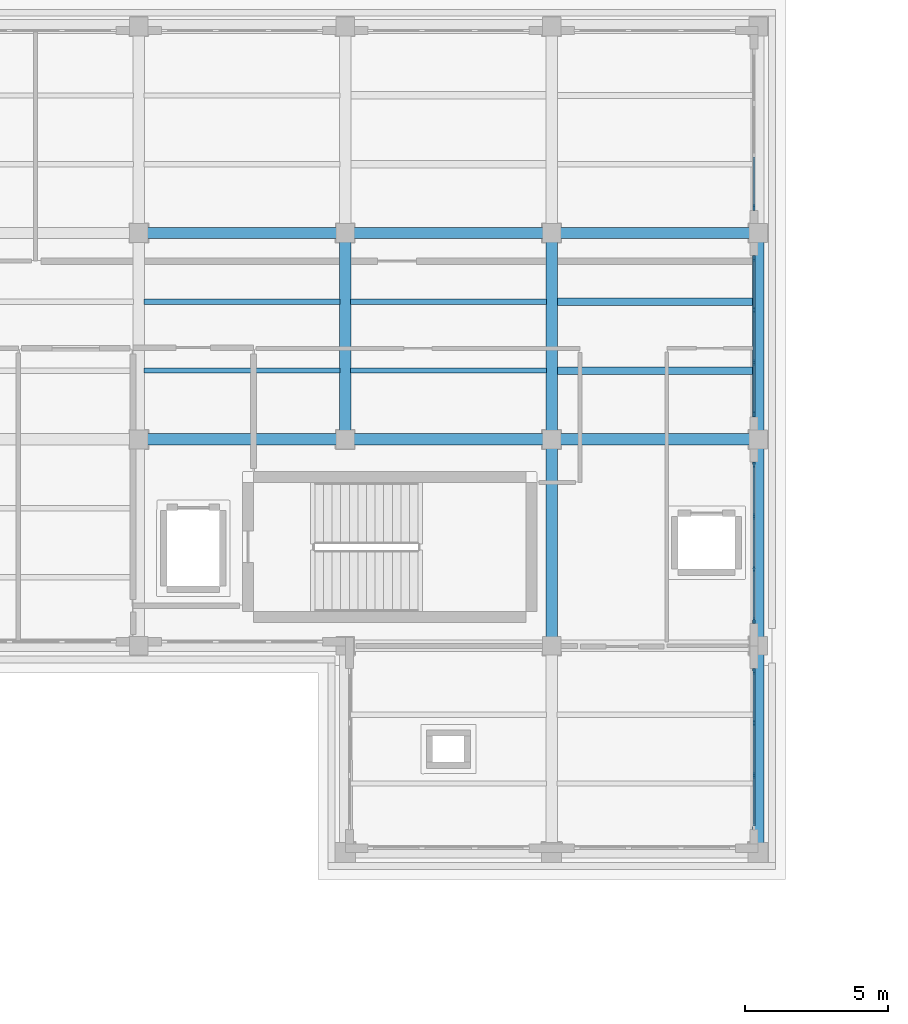
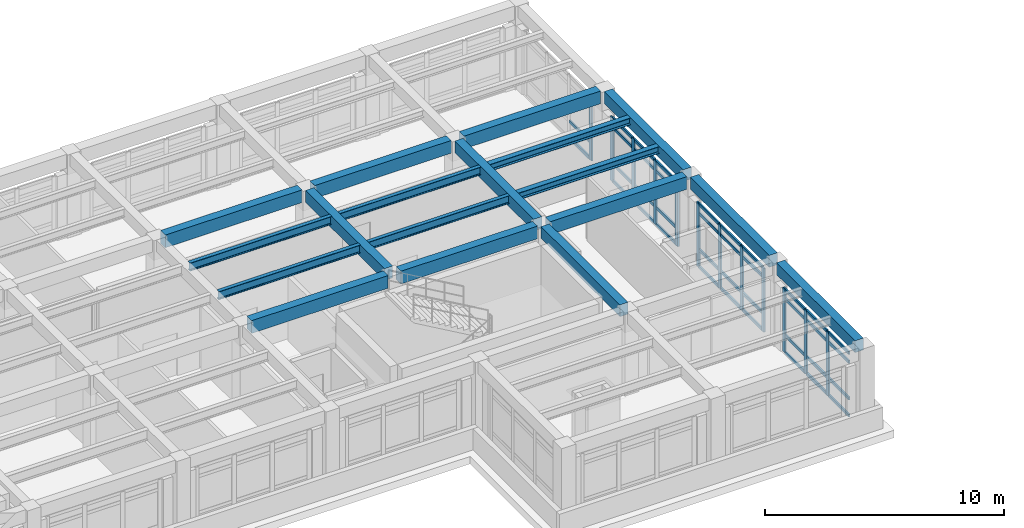
# One storey, part 28 of 55: 50 members, 18 beams, 4 elements without a shape of their own.
"""IFC4 building model written with IfcOpenShell, lengths in metres."""

from ifc_helpers import new_model, si_unit, direction, frame, origin, origin_2d, place, context, subcontext, project, spatial, rectangle, i_section, extrude, material, layer, layer_set, material_profile, profile_set, type_object, element, aggregate, save


model = new_model("IFC4")

# Units and contexts
model_context = context("Model", 3, precision=1e-05, world=origin(), true_north=direction((0.0, 1.0)))
body_context = subcontext(model_context, "Body", "Model", "MODEL_VIEW")
ifc_project = project(units=[si_unit("LENGTHUNIT", "METRE"), si_unit("AREAUNIT", "SQUARE_METRE"), si_unit("VOLUMEUNIT", "CUBIC_METRE"), si_unit("PLANEANGLEUNIT", "RADIAN"), si_unit("MASSUNIT", "GRAM", prefix="KILO")], contexts=[model_context])

# Site, building, storey
site_placement = place(None, origin())
site = spatial("IfcSite", under=ifc_project, at=site_placement, CompositionType="ELEMENT")
building_placement = place(site_placement, origin())
building = spatial("IfcBuilding", under=site, at=building_placement, Name="Solenvale Faculty of Natural Sciences", CompositionType="ELEMENT")
storey_placement = place(building_placement, frame((0.0, 0.0, 22.5)))
storey = spatial("IfcBuildingStorey", under=building, at=storey_placement, Name="L05", CompositionType="ELEMENT", Elevation=22.5)

# Beams
ifc_material_1 = material(Name="Concrete 40 MPa", Category="concrete")
ifc_material_profile_1 = material_profile(ifc_material_1, rectangle(XDim=0.39990234375, YDim=0.60009765625, at=origin_2d()), Name="RC-BM-400x600")
ifc_profile_set_1 = profile_set([ifc_material_profile_1], Name="Concrete 40 MPa")
beam_type_1 = type_object("IfcBeamType", Name="BM-RC-400x600", PredefinedType="BEAM", material=ifc_profile_set_1)
for number, where, z_axis, x_axis, name in (
    (1, (136.800048828125, 101.10498046875, 3.919921875), (0.0, 1.0, 0.0), (-1.0, 0.0, 0.0), "L05 Y-Girder X136.8 (100.8..108.0)"),
    (2, (144.0, 93.905029296875, 3.919921875), (0.0, 1.0, 0.0), (-1.0, 0.0, 0.0), "L05 Y-Girder X144.0 (93.6..100.8)"),
    (3, (144.0, 101.10498046875, 3.919921875), (0.0, 1.0, 0.0), (-1.0, 0.0, 0.0), "L05 Y-Girder X144.0 (100.8..108.0)"),
):
    element("IfcBeam", number, at=place(storey_placement, frame(where, z_axis=z_axis, x_axis=x_axis)), inside=storey, type_object=beam_type_1, Name=name, PredefinedType="BEAM", context=body_context, shape_type="SweptSolid", body=[
        extrude(rectangle(XDim=0.39990234375, YDim=0.60009765625, at=origin_2d()), origin(), (0.0, 0.0, 1.0), 6.590087890625),
    ])
beam_placement = place(storey_placement, frame((151.199951171875, 86.72998046875, 3.919921875), z_axis=(0.0, 1.0, 0.0), x_axis=(-1.0, 0.0, 0.0)))
element("IfcBeam", 4, at=beam_placement, inside=storey, type_object=beam_type_1, Name="L05 Y-Girder X151.2 (86.4..93.6)", PredefinedType="BEAM", context=body_context, shape_type="SweptSolid", body=[
    extrude(rectangle(XDim=0.39990234375, YDim=0.60009765625, at=origin_2d()), origin(), (0.0, 0.0, 1.0), 6.56494140625),
])
for number, where, z_axis, x_axis, name in (
    (5, (151.199951171875, 93.905029296875, 3.919921875), (0.0, 1.0, 0.0), (-1.0, 0.0, 0.0), "L05 Y-Girder X151.2 (93.6..100.8)"),
    (6, (151.199951171875, 101.10498046875, 3.919921875), (0.0, 1.0, 0.0), (-1.0, 0.0, 0.0), "L05 Y-Girder X151.2 (100.8..108.0)"),
):
    element("IfcBeam", number, at=place(storey_placement, frame(where, z_axis=z_axis, x_axis=x_axis)), inside=storey, type_object=beam_type_1, Name=name, PredefinedType="BEAM", context=body_context, shape_type="SweptSolid", body=[
        extrude(rectangle(XDim=0.39990234375, YDim=0.60009765625, at=origin_2d()), origin(), (0.0, 0.0, 1.0), 6.590087890625),
    ])
ifc_material_profile_2 = material_profile(ifc_material_1, rectangle(XDim=0.39990234375, YDim=0.64990234375, at=origin_2d()), Name="RC-BM-400x650")
ifc_profile_set_2 = profile_set([ifc_material_profile_2], Name="Concrete 40 MPa")
beam_type_2 = type_object("IfcBeamType", Name="BM-RC-400x650", PredefinedType="BEAM", material=ifc_profile_set_2)
for number, where, z_axis, x_axis, name in (
    (7, (129.905029296875, 100.800048828125, 3.89501953125), (1.0, 0.0, 0.0), (0.0, 1.0, 0.0), "L05 X-Girder Y100.8 (129.6..136.8)"),
    (8, (137.10498046875, 100.800048828125, 3.89501953125), (1.0, 0.0, 0.0), (0.0, 1.0, 0.0), "L05 X-Girder Y100.8 (136.8..144.0)"),
    (9, (144.304931640625, 100.800048828125, 3.89501953125), (1.0, 0.0, 0.0), (0.0, 1.0, 0.0), "L05 X-Girder Y100.8 (144.0..151.2)"),
    (10, (129.905029296875, 108.0, 3.89501953125), (1.0, 0.0, 0.0), (0.0, 1.0, 0.0), "L05 X-Girder Y108.0 (129.6..136.8)"),
    (11, (137.10498046875, 108.0, 3.89501953125), (1.0, 0.0, 0.0), (0.0, 1.0, 0.0), "L05 X-Girder Y108.0 (136.8..144.0)"),
    (12, (144.304931640625, 108.0, 3.89501953125), (1.0, 0.0, 0.0), (0.0, 1.0, 0.0), "L05 X-Girder Y108.0 (144.0..151.2)"),
):
    element("IfcBeam", number, at=place(storey_placement, frame(where, z_axis=z_axis, x_axis=x_axis)), inside=storey, type_object=beam_type_2, Name=name, PredefinedType="BEAM", context=body_context, shape_type="SweptSolid", body=[
        extrude(rectangle(XDim=0.39990234375, YDim=0.64990234375, at=origin_2d()), origin(), (0.0, 0.0, 1.0), 6.590087890625),
    ])
ifc_material_2 = material(Name="Steel S355", Category="steel")
ifc_material_profile_3 = material_profile(ifc_material_2, i_section(OverallWidth=0.2548828125, OverallDepth=0.35693359375, WebThickness=0.010498046875, FlangeThickness=0.018310546875, FilletRadius=0.014892578125, at=origin_2d()), Name="W360x101")
ifc_profile_set_3 = profile_set([ifc_material_profile_3], Name="Steel S355")
beam_type_3 = type_object("IfcBeamType", Name="BM-STL-W360x101", PredefinedType="JOIST", material=ifc_profile_set_3)
for number, where, z_axis, x_axis, name in (
    (13, (144.179931640625, 103.199951171875, 4.04150390625), (1.0, 0.0, 0.0), (0.0, 1.0, 0.0), "L05 Composite Floor Joist (21,15).1"),
    (14, (144.179931640625, 105.60009765625, 4.04150390625), (1.0, 0.0, 0.0), (0.0, 1.0, 0.0), "L05 Composite Floor Joist (21,15).2"),
):
    element("IfcBeam", number, at=place(storey_placement, frame(where, z_axis=z_axis, x_axis=x_axis)), inside=storey, type_object=beam_type_3, Name=name, PredefinedType="JOIST", context=body_context, shape_type="SweptSolid", body=[
        extrude(i_section(OverallWidth=0.2548828125, OverallDepth=0.35693359375, WebThickness=0.010498046875, FlangeThickness=0.018310546875, FilletRadius=0.014892578125, at=origin_2d()), origin(), (0.0, 0.0, 1.0), 6.840087890625),
    ])
ifc_material_profile_4 = material_profile(ifc_material_2, i_section(OverallWidth=0.178955078125, OverallDepth=0.409912109375, WebThickness=0.0087890625, FlangeThickness=0.014404296875, FilletRadius=0.01611328125, at=origin_2d()), Name="W410x67")
ifc_profile_set_4 = profile_set([ifc_material_profile_4], Name="Steel S355")
beam_type_4 = type_object("IfcBeamType", Name="BM-STL-W410x67", PredefinedType="JOIST", material=ifc_profile_set_4)
for number, where, z_axis, x_axis, name in (
    (15, (136.97998046875, 103.199951171875, 4.014892578125), (1.0, 0.0, 0.0), (0.0, 1.0, 0.0), "L05 Composite Floor Joist (20,15).1"),
    (16, (136.97998046875, 105.60009765625, 4.014892578125), (1.0, 0.0, 0.0), (0.0, 1.0, 0.0), "L05 Composite Floor Joist (20,15).2"),
):
    element("IfcBeam", number, at=place(storey_placement, frame(where, z_axis=z_axis, x_axis=x_axis)), inside=storey, type_object=beam_type_4, Name=name, PredefinedType="JOIST", context=body_context, shape_type="SweptSolid", body=[
        extrude(i_section(OverallWidth=0.178955078125, OverallDepth=0.409912109375, WebThickness=0.0087890625, FlangeThickness=0.014404296875, FilletRadius=0.01611328125, at=origin_2d()), origin(), (0.0, 0.0, 1.0), 6.840087890625),
    ])
ifc_material_profile_5 = material_profile(ifc_material_2, i_section(OverallWidth=0.180908203125, OverallDepth=0.4169921875, WebThickness=0.010986328125, FlangeThickness=0.018310546875, FilletRadius=0.01611328125, at=origin_2d()), Name="W410x85")
ifc_profile_set_5 = profile_set([ifc_material_profile_5], Name="Steel S355")
beam_type_5 = type_object("IfcBeamType", Name="BM-STL-W410x85", PredefinedType="JOIST", material=ifc_profile_set_5)
for number, where, z_axis, x_axis, name in (
    (17, (129.780029296875, 103.199951171875, 4.011474609375), (1.0, 0.0, 0.0), (0.0, 1.0, 0.0), "L05 Composite Floor Joist (19,15).1"),
    (18, (129.780029296875, 105.60009765625, 4.011474609375), (1.0, 0.0, 0.0), (0.0, 1.0, 0.0), "L05 Composite Floor Joist (19,15).2"),
):
    element("IfcBeam", number, at=place(storey_placement, frame(where, z_axis=z_axis, x_axis=x_axis)), inside=storey, type_object=beam_type_5, Name=name, PredefinedType="JOIST", context=body_context, shape_type="SweptSolid", body=[
        extrude(i_section(OverallWidth=0.180908203125, OverallDepth=0.4169921875, WebThickness=0.010986328125, FlangeThickness=0.018310546875, FilletRadius=0.01611328125, at=origin_2d()), origin(), (0.0, 0.0, 1.0), 6.840087890625),
    ])

# Curtain wall, members
ifc_material_3 = material(Name="Anodised bronze aluminium", Category="aluminium")
ifc_layer = layer(ifc_material_3, 0.179931640625)
ifc_layer_set = layer_set([ifc_layer], Name="Anodised bronze aluminium")
curtain_wall_type = type_object("IfcCurtainWallType", Name="CW-TWR-MOD", PredefinedType="USERDEFINED", material=ifc_layer_set)
curtain_wall_1_placement = place(storey_placement, origin())
curtain_wall_1 = element("IfcCurtainWall", 19, at=curtain_wall_1_placement, inside=storey, type_object=curtain_wall_type, Name="L05 Curtain Wall CW-L05-P2-E1-B1", ObjectType="UNITISED CURTAIN WALL", PredefinedType="USERDEFINED")
ifc_material_profile_6 = material_profile(ifc_material_3, rectangle(XDim=0.074951171875, YDim=0.2099609375, at=origin_2d()), Name="ALU-MUL-75x210")
ifc_profile_set_6 = profile_set([ifc_material_profile_6], Name="Anodised bronze aluminium")
member_type_1 = type_object("IfcMemberType", Name="CWM-ALU-75x210", PredefinedType="MULLION", material=ifc_profile_set_6)
member_1_placement = place(storey_placement, frame((151.0576171875, 89.083251953125, 0.0), z_axis=(0.0, 0.0, 1.0), x_axis=(-1.0, 0.0, 0.0)))
member_1 = element("IfcMember", 20, at=member_1_placement, type_object=member_type_1, Name="CW-04 mullion 2", PredefinedType="MULLION", context=body_context, shape_type="SweptSolid", body=[
    extrude(rectangle(XDim=0.074951171875, YDim=0.2099609375, at=origin_2d()), origin(), (0.0, 0.0, 1.0), 3.260009765625),
])
member_2_placement = place(storey_placement, frame((151.0576171875, 90.916748046875, 0.0), z_axis=(0.0, 0.0, 1.0), x_axis=(-1.0, 0.0, 0.0)))
member_2 = element("IfcMember", 21, at=member_2_placement, type_object=member_type_1, Name="CW-04 mullion 3", PredefinedType="MULLION", context=body_context, shape_type="SweptSolid", body=[
    extrude(rectangle(XDim=0.074951171875, YDim=0.2099609375, at=origin_2d()), origin(), (0.0, 0.0, 1.0), 3.260009765625),
])
member_3_placement = place(storey_placement, frame((151.0576171875, 92.71240234375, 0.0), z_axis=(0.0, 0.0, 1.0), x_axis=(-1.0, 0.0, 0.0)))
member_3 = element("IfcMember", 22, at=member_3_placement, type_object=member_type_1, Name="CW-04 mullion 4", PredefinedType="MULLION", context=body_context, shape_type="SweptSolid", body=[
    extrude(rectangle(XDim=0.074951171875, YDim=0.2099609375, at=origin_2d()), origin(), (0.0, 0.0, 1.0), 3.260009765625),
])

curtain_wall_2_placement = place(storey_placement, origin())
curtain_wall_2 = element("IfcCurtainWall", 23, at=curtain_wall_2_placement, inside=storey, type_object=curtain_wall_type, Name="L05 Curtain Wall CW-L05-P2-E2-B1", ObjectType="UNITISED CURTAIN WALL", PredefinedType="USERDEFINED")
member_4_placement = place(storey_placement, frame((151.0576171875, 94.487548828125, 0.0), z_axis=(0.0, 0.0, 1.0), x_axis=(-1.0, 0.0, 0.0)))
member_4 = element("IfcMember", 24, at=member_4_placement, type_object=member_type_1, Name="CW-04 mullion 1", PredefinedType="MULLION", context=body_context, shape_type="SweptSolid", body=[
    extrude(rectangle(XDim=0.074951171875, YDim=0.2099609375, at=origin_2d()), origin(), (0.0, 0.0, 1.0), 3.260009765625),
])
member_5_placement = place(storey_placement, frame((151.0576171875, 96.283447265625, 0.0), z_axis=(0.0, 0.0, 1.0), x_axis=(-1.0, 0.0, 0.0)))
member_5 = element("IfcMember", 25, at=member_5_placement, type_object=member_type_1, Name="CW-04 mullion 2", PredefinedType="MULLION", context=body_context, shape_type="SweptSolid", body=[
    extrude(rectangle(XDim=0.074951171875, YDim=0.2099609375, at=origin_2d()), origin(), (0.0, 0.0, 1.0), 3.260009765625),
])
member_6_placement = place(storey_placement, frame((151.0576171875, 98.11669921875, 0.0), z_axis=(0.0, 0.0, 1.0), x_axis=(-1.0, 0.0, 0.0)))
member_6 = element("IfcMember", 26, at=member_6_placement, type_object=member_type_1, Name="CW-04 mullion 3", PredefinedType="MULLION", context=body_context, shape_type="SweptSolid", body=[
    extrude(rectangle(XDim=0.074951171875, YDim=0.2099609375, at=origin_2d()), origin(), (0.0, 0.0, 1.0), 3.260009765625),
])
member_7_placement = place(storey_placement, frame((151.0576171875, 99.91259765625, 0.0), z_axis=(0.0, 0.0, 1.0), x_axis=(-1.0, 0.0, 0.0)))
member_7 = element("IfcMember", 27, at=member_7_placement, type_object=member_type_1, Name="CW-04 mullion 4", PredefinedType="MULLION", context=body_context, shape_type="SweptSolid", body=[
    extrude(rectangle(XDim=0.074951171875, YDim=0.2099609375, at=origin_2d()), origin(), (0.0, 0.0, 1.0), 3.260009765625),
])

curtain_wall_3_placement = place(storey_placement, origin())
curtain_wall_3 = element("IfcCurtainWall", 28, at=curtain_wall_3_placement, inside=storey, type_object=curtain_wall_type, Name="L05 Curtain Wall CW-L05-P2-E2-B2", ObjectType="UNITISED CURTAIN WALL", PredefinedType="USERDEFINED")
member_8_placement = place(storey_placement, frame((151.0576171875, 101.6875, 0.0), z_axis=(0.0, 0.0, 1.0), x_axis=(-1.0, 0.0, 0.0)))
member_8 = element("IfcMember", 29, at=member_8_placement, type_object=member_type_1, Name="CW-04 mullion 1", PredefinedType="MULLION", context=body_context, shape_type="SweptSolid", body=[
    extrude(rectangle(XDim=0.074951171875, YDim=0.2099609375, at=origin_2d()), origin(), (0.0, 0.0, 1.0), 3.260009765625),
])
member_9_placement = place(storey_placement, frame((151.0576171875, 103.4833984375, 0.0), z_axis=(0.0, 0.0, 1.0), x_axis=(-1.0, 0.0, 0.0)))
member_9 = element("IfcMember", 30, at=member_9_placement, type_object=member_type_1, Name="CW-04 mullion 2", PredefinedType="MULLION", context=body_context, shape_type="SweptSolid", body=[
    extrude(rectangle(XDim=0.074951171875, YDim=0.2099609375, at=origin_2d()), origin(), (0.0, 0.0, 1.0), 3.260009765625),
])
member_10_placement = place(storey_placement, frame((151.0576171875, 105.316650390625, 0.0), z_axis=(0.0, 0.0, 1.0), x_axis=(-1.0, 0.0, 0.0)))
member_10 = element("IfcMember", 31, at=member_10_placement, type_object=member_type_1, Name="CW-04 mullion 3", PredefinedType="MULLION", context=body_context, shape_type="SweptSolid", body=[
    extrude(rectangle(XDim=0.074951171875, YDim=0.2099609375, at=origin_2d()), origin(), (0.0, 0.0, 1.0), 3.260009765625),
])
member_11_placement = place(storey_placement, frame((151.0576171875, 107.112548828125, 0.0), z_axis=(0.0, 0.0, 1.0), x_axis=(-1.0, 0.0, 0.0)))
member_11 = element("IfcMember", 32, at=member_11_placement, type_object=member_type_1, Name="CW-04 mullion 4", PredefinedType="MULLION", context=body_context, shape_type="SweptSolid", body=[
    extrude(rectangle(XDim=0.074951171875, YDim=0.2099609375, at=origin_2d()), origin(), (0.0, 0.0, 1.0), 3.260009765625),
])

# Curtain wall, member
curtain_wall_4_placement = place(storey_placement, origin())
curtain_wall_4 = element("IfcCurtainWall", 33, at=curtain_wall_4_placement, inside=storey, type_object=curtain_wall_type, Name="L05 Curtain Wall CW-L05-P2-E2-B3", ObjectType="UNITISED CURTAIN WALL", PredefinedType="USERDEFINED")
member_12_placement = place(storey_placement, frame((151.0576171875, 108.887451171875, 0.0), z_axis=(0.0, 0.0, 1.0), x_axis=(-1.0, 0.0, 0.0)))
member_12 = element("IfcMember", 34, at=member_12_placement, type_object=member_type_1, Name="CW-04 mullion 1", PredefinedType="MULLION", context=body_context, shape_type="SweptSolid", body=[
    extrude(rectangle(XDim=0.074951171875, YDim=0.2099609375, at=origin_2d()), origin(), (0.0, 0.0, 1.0), 3.260009765625),
])

# Member
ifc_material_profile_7 = material_profile(ifc_material_3, rectangle(XDim=0.074951171875, YDim=0.155029296875, at=origin_2d()), Name="ALU-TRN-75x155")
ifc_profile_set_7 = profile_set([ifc_material_profile_7], Name="Anodised bronze aluminium")
member_type_2 = type_object("IfcMemberType", Name="CWT-ALU-75x155", PredefinedType="USERDEFINED", material=ifc_profile_set_7)
member_13_placement = place(storey_placement, frame((151.0576171875, 87.324951171875, 0.03759765625), z_axis=(0.0, 1.0, 0.0), x_axis=(-1.0, 0.0, 0.0)))
member_13 = element("IfcMember", 35, at=member_13_placement, type_object=member_type_2, Name="CW-04 transom 1.1", ObjectType="TRANSOM", PredefinedType="USERDEFINED", context=body_context, shape_type="SweptSolid", body=[
    extrude(rectangle(XDim=0.074951171875, YDim=0.155029296875, at=origin_2d()), origin(), (0.0, 0.0, 1.0), 1.720947265625),
])

member_14_placement = place(storey_placement, frame((151.0576171875, 87.324951171875, 0.89990234375), z_axis=(0.0, 1.0, 0.0), x_axis=(-1.0, 0.0, 0.0)))
member_14 = element("IfcMember", 36, at=member_14_placement, type_object=member_type_2, Name="CW-04 transom 1.2", ObjectType="TRANSOM", PredefinedType="USERDEFINED", context=body_context, shape_type="SweptSolid", body=[
    extrude(rectangle(XDim=0.074951171875, YDim=0.155029296875, at=origin_2d()), origin(), (0.0, 0.0, 1.0), 1.720947265625),
])

member_15_placement = place(storey_placement, frame((151.0576171875, 87.324951171875, 2.760009765625), z_axis=(0.0, 1.0, 0.0), x_axis=(-1.0, 0.0, 0.0)))
member_15 = element("IfcMember", 37, at=member_15_placement, type_object=member_type_2, Name="CW-04 transom 1.3", ObjectType="TRANSOM", PredefinedType="USERDEFINED", context=body_context, shape_type="SweptSolid", body=[
    extrude(rectangle(XDim=0.074951171875, YDim=0.155029296875, at=origin_2d()), origin(), (0.0, 0.0, 1.0), 1.720947265625),
])

member_16_placement = place(storey_placement, frame((151.0576171875, 87.324951171875, 3.222412109375), z_axis=(0.0, 1.0, 0.0), x_axis=(-1.0, 0.0, 0.0)))
member_16 = element("IfcMember", 38, at=member_16_placement, type_object=member_type_2, Name="CW-04 transom 1.4", ObjectType="TRANSOM", PredefinedType="USERDEFINED", context=body_context, shape_type="SweptSolid", body=[
    extrude(rectangle(XDim=0.074951171875, YDim=0.155029296875, at=origin_2d()), origin(), (0.0, 0.0, 1.0), 1.720947265625),
])

member_17_placement = place(storey_placement, frame((151.0576171875, 89.120849609375, 0.03759765625), z_axis=(0.0, 1.0, 0.0), x_axis=(-1.0, 0.0, 0.0)))
member_17 = element("IfcMember", 39, at=member_17_placement, type_object=member_type_2, Name="CW-04 transom 2.1", ObjectType="TRANSOM", PredefinedType="USERDEFINED", context=body_context, shape_type="SweptSolid", body=[
    extrude(rectangle(XDim=0.074951171875, YDim=0.155029296875, at=origin_2d()), origin(), (0.0, 0.0, 1.0), 1.75830078125),
])

member_18_placement = place(storey_placement, frame((151.0576171875, 89.120849609375, 0.89990234375), z_axis=(0.0, 1.0, 0.0), x_axis=(-1.0, 0.0, 0.0)))
member_18 = element("IfcMember", 40, at=member_18_placement, type_object=member_type_2, Name="CW-04 transom 2.2", ObjectType="TRANSOM", PredefinedType="USERDEFINED", context=body_context, shape_type="SweptSolid", body=[
    extrude(rectangle(XDim=0.074951171875, YDim=0.155029296875, at=origin_2d()), origin(), (0.0, 0.0, 1.0), 1.75830078125),
])

member_19_placement = place(storey_placement, frame((151.0576171875, 89.120849609375, 2.760009765625), z_axis=(0.0, 1.0, 0.0), x_axis=(-1.0, 0.0, 0.0)))
member_19 = element("IfcMember", 41, at=member_19_placement, type_object=member_type_2, Name="CW-04 transom 2.3", ObjectType="TRANSOM", PredefinedType="USERDEFINED", context=body_context, shape_type="SweptSolid", body=[
    extrude(rectangle(XDim=0.074951171875, YDim=0.155029296875, at=origin_2d()), origin(), (0.0, 0.0, 1.0), 1.75830078125),
])

member_20_placement = place(storey_placement, frame((151.0576171875, 89.120849609375, 3.222412109375), z_axis=(0.0, 1.0, 0.0), x_axis=(-1.0, 0.0, 0.0)))
member_20 = element("IfcMember", 42, at=member_20_placement, type_object=member_type_2, Name="CW-04 transom 2.4", ObjectType="TRANSOM", PredefinedType="USERDEFINED", context=body_context, shape_type="SweptSolid", body=[
    extrude(rectangle(XDim=0.074951171875, YDim=0.155029296875, at=origin_2d()), origin(), (0.0, 0.0, 1.0), 1.75830078125),
])

member_21_placement = place(storey_placement, frame((151.0576171875, 90.9541015625, 0.03759765625), z_axis=(0.0, 1.0, 0.0), x_axis=(-1.0, 0.0, 0.0)))
member_21 = element("IfcMember", 43, at=member_21_placement, type_object=member_type_2, Name="CW-04 transom 3.1", ObjectType="TRANSOM", PredefinedType="USERDEFINED", context=body_context, shape_type="SweptSolid", body=[
    extrude(rectangle(XDim=0.074951171875, YDim=0.155029296875, at=origin_2d()), origin(), (0.0, 0.0, 1.0), 1.720947265625),
])

member_22_placement = place(storey_placement, frame((151.0576171875, 90.9541015625, 0.89990234375), z_axis=(0.0, 1.0, 0.0), x_axis=(-1.0, 0.0, 0.0)))
member_22 = element("IfcMember", 44, at=member_22_placement, type_object=member_type_2, Name="CW-04 transom 3.2", ObjectType="TRANSOM", PredefinedType="USERDEFINED", context=body_context, shape_type="SweptSolid", body=[
    extrude(rectangle(XDim=0.074951171875, YDim=0.155029296875, at=origin_2d()), origin(), (0.0, 0.0, 1.0), 1.720947265625),
])

member_23_placement = place(storey_placement, frame((151.0576171875, 90.9541015625, 2.760009765625), z_axis=(0.0, 1.0, 0.0), x_axis=(-1.0, 0.0, 0.0)))
member_23 = element("IfcMember", 45, at=member_23_placement, type_object=member_type_2, Name="CW-04 transom 3.3", ObjectType="TRANSOM", PredefinedType="USERDEFINED", context=body_context, shape_type="SweptSolid", body=[
    extrude(rectangle(XDim=0.074951171875, YDim=0.155029296875, at=origin_2d()), origin(), (0.0, 0.0, 1.0), 1.720947265625),
])

member_24_placement = place(storey_placement, frame((151.0576171875, 90.9541015625, 3.222412109375), z_axis=(0.0, 1.0, 0.0), x_axis=(-1.0, 0.0, 0.0)))
member_24 = element("IfcMember", 46, at=member_24_placement, type_object=member_type_2, Name="CW-04 transom 3.4", ObjectType="TRANSOM", PredefinedType="USERDEFINED", context=body_context, shape_type="SweptSolid", body=[
    extrude(rectangle(XDim=0.074951171875, YDim=0.155029296875, at=origin_2d()), origin(), (0.0, 0.0, 1.0), 1.720947265625),
])

aggregate(curtain_wall_1, [member_1, member_2, member_3, member_13, member_14, member_15, member_16, member_17, member_18, member_19, member_20, member_21, member_22, member_23, member_24])

member_25_placement = place(storey_placement, frame((151.0576171875, 94.52490234375, 0.03759765625), z_axis=(0.0, 1.0, 0.0), x_axis=(-1.0, 0.0, 0.0)))
member_25 = element("IfcMember", 47, at=member_25_placement, type_object=member_type_2, Name="CW-04 transom 1.1", ObjectType="TRANSOM", PredefinedType="USERDEFINED", context=body_context, shape_type="SweptSolid", body=[
    extrude(rectangle(XDim=0.074951171875, YDim=0.155029296875, at=origin_2d()), origin(), (0.0, 0.0, 1.0), 1.720947265625),
])

member_26_placement = place(storey_placement, frame((151.0576171875, 94.52490234375, 0.89990234375), z_axis=(0.0, 1.0, 0.0), x_axis=(-1.0, 0.0, 0.0)))
member_26 = element("IfcMember", 48, at=member_26_placement, type_object=member_type_2, Name="CW-04 transom 1.2", ObjectType="TRANSOM", PredefinedType="USERDEFINED", context=body_context, shape_type="SweptSolid", body=[
    extrude(rectangle(XDim=0.074951171875, YDim=0.155029296875, at=origin_2d()), origin(), (0.0, 0.0, 1.0), 1.720947265625),
])

member_27_placement = place(storey_placement, frame((151.0576171875, 94.52490234375, 2.760009765625), z_axis=(0.0, 1.0, 0.0), x_axis=(-1.0, 0.0, 0.0)))
member_27 = element("IfcMember", 49, at=member_27_placement, type_object=member_type_2, Name="CW-04 transom 1.3", ObjectType="TRANSOM", PredefinedType="USERDEFINED", context=body_context, shape_type="SweptSolid", body=[
    extrude(rectangle(XDim=0.074951171875, YDim=0.155029296875, at=origin_2d()), origin(), (0.0, 0.0, 1.0), 1.720947265625),
])

member_28_placement = place(storey_placement, frame((151.0576171875, 94.52490234375, 3.222412109375), z_axis=(0.0, 1.0, 0.0), x_axis=(-1.0, 0.0, 0.0)))
member_28 = element("IfcMember", 50, at=member_28_placement, type_object=member_type_2, Name="CW-04 transom 1.4", ObjectType="TRANSOM", PredefinedType="USERDEFINED", context=body_context, shape_type="SweptSolid", body=[
    extrude(rectangle(XDim=0.074951171875, YDim=0.155029296875, at=origin_2d()), origin(), (0.0, 0.0, 1.0), 1.720947265625),
])

member_29_placement = place(storey_placement, frame((151.0576171875, 96.32080078125, 0.03759765625), z_axis=(0.0, 1.0, 0.0), x_axis=(-1.0, 0.0, 0.0)))
member_29 = element("IfcMember", 51, at=member_29_placement, type_object=member_type_2, Name="CW-04 transom 2.1", ObjectType="TRANSOM", PredefinedType="USERDEFINED", context=body_context, shape_type="SweptSolid", body=[
    extrude(rectangle(XDim=0.074951171875, YDim=0.155029296875, at=origin_2d()), origin(), (0.0, 0.0, 1.0), 1.75830078125),
])

member_30_placement = place(storey_placement, frame((151.0576171875, 96.32080078125, 0.89990234375), z_axis=(0.0, 1.0, 0.0), x_axis=(-1.0, 0.0, 0.0)))
member_30 = element("IfcMember", 52, at=member_30_placement, type_object=member_type_2, Name="CW-04 transom 2.2", ObjectType="TRANSOM", PredefinedType="USERDEFINED", context=body_context, shape_type="SweptSolid", body=[
    extrude(rectangle(XDim=0.074951171875, YDim=0.155029296875, at=origin_2d()), origin(), (0.0, 0.0, 1.0), 1.75830078125),
])

member_31_placement = place(storey_placement, frame((151.0576171875, 96.32080078125, 2.760009765625), z_axis=(0.0, 1.0, 0.0), x_axis=(-1.0, 0.0, 0.0)))
member_31 = element("IfcMember", 53, at=member_31_placement, type_object=member_type_2, Name="CW-04 transom 2.3", ObjectType="TRANSOM", PredefinedType="USERDEFINED", context=body_context, shape_type="SweptSolid", body=[
    extrude(rectangle(XDim=0.074951171875, YDim=0.155029296875, at=origin_2d()), origin(), (0.0, 0.0, 1.0), 1.75830078125),
])

member_32_placement = place(storey_placement, frame((151.0576171875, 96.32080078125, 3.222412109375), z_axis=(0.0, 1.0, 0.0), x_axis=(-1.0, 0.0, 0.0)))
member_32 = element("IfcMember", 54, at=member_32_placement, type_object=member_type_2, Name="CW-04 transom 2.4", ObjectType="TRANSOM", PredefinedType="USERDEFINED", context=body_context, shape_type="SweptSolid", body=[
    extrude(rectangle(XDim=0.074951171875, YDim=0.155029296875, at=origin_2d()), origin(), (0.0, 0.0, 1.0), 1.75830078125),
])

member_33_placement = place(storey_placement, frame((151.0576171875, 98.154052734375, 0.03759765625), z_axis=(0.0, 1.0, 0.0), x_axis=(-1.0, 0.0, 0.0)))
member_33 = element("IfcMember", 55, at=member_33_placement, type_object=member_type_2, Name="CW-04 transom 3.1", ObjectType="TRANSOM", PredefinedType="USERDEFINED", context=body_context, shape_type="SweptSolid", body=[
    extrude(rectangle(XDim=0.074951171875, YDim=0.155029296875, at=origin_2d()), origin(), (0.0, 0.0, 1.0), 1.720947265625),
])

member_34_placement = place(storey_placement, frame((151.0576171875, 98.154052734375, 0.89990234375), z_axis=(0.0, 1.0, 0.0), x_axis=(-1.0, 0.0, 0.0)))
member_34 = element("IfcMember", 56, at=member_34_placement, type_object=member_type_2, Name="CW-04 transom 3.2", ObjectType="TRANSOM", PredefinedType="USERDEFINED", context=body_context, shape_type="SweptSolid", body=[
    extrude(rectangle(XDim=0.074951171875, YDim=0.155029296875, at=origin_2d()), origin(), (0.0, 0.0, 1.0), 1.720947265625),
])

member_35_placement = place(storey_placement, frame((151.0576171875, 98.154052734375, 2.760009765625), z_axis=(0.0, 1.0, 0.0), x_axis=(-1.0, 0.0, 0.0)))
member_35 = element("IfcMember", 57, at=member_35_placement, type_object=member_type_2, Name="CW-04 transom 3.3", ObjectType="TRANSOM", PredefinedType="USERDEFINED", context=body_context, shape_type="SweptSolid", body=[
    extrude(rectangle(XDim=0.074951171875, YDim=0.155029296875, at=origin_2d()), origin(), (0.0, 0.0, 1.0), 1.720947265625),
])

member_36_placement = place(storey_placement, frame((151.0576171875, 98.154052734375, 3.222412109375), z_axis=(0.0, 1.0, 0.0), x_axis=(-1.0, 0.0, 0.0)))
member_36 = element("IfcMember", 58, at=member_36_placement, type_object=member_type_2, Name="CW-04 transom 3.4", ObjectType="TRANSOM", PredefinedType="USERDEFINED", context=body_context, shape_type="SweptSolid", body=[
    extrude(rectangle(XDim=0.074951171875, YDim=0.155029296875, at=origin_2d()), origin(), (0.0, 0.0, 1.0), 1.720947265625),
])

aggregate(curtain_wall_2, [member_4, member_5, member_6, member_7, member_25, member_26, member_27, member_28, member_29, member_30, member_31, member_32, member_33, member_34, member_35, member_36])

member_37_placement = place(storey_placement, frame((151.0576171875, 101.72509765625, 0.03759765625), z_axis=(0.0, 1.0, 0.0), x_axis=(-1.0, 0.0, 0.0)))
member_37 = element("IfcMember", 59, at=member_37_placement, type_object=member_type_2, Name="CW-04 transom 1.1", ObjectType="TRANSOM", PredefinedType="USERDEFINED", context=body_context, shape_type="SweptSolid", body=[
    extrude(rectangle(XDim=0.074951171875, YDim=0.155029296875, at=origin_2d()), origin(), (0.0, 0.0, 1.0), 1.720703125),
])

member_38_placement = place(storey_placement, frame((151.0576171875, 101.72509765625, 0.89990234375), z_axis=(0.0, 1.0, 0.0), x_axis=(-1.0, 0.0, 0.0)))
member_38 = element("IfcMember", 60, at=member_38_placement, type_object=member_type_2, Name="CW-04 transom 1.2", ObjectType="TRANSOM", PredefinedType="USERDEFINED", context=body_context, shape_type="SweptSolid", body=[
    extrude(rectangle(XDim=0.074951171875, YDim=0.155029296875, at=origin_2d()), origin(), (0.0, 0.0, 1.0), 1.720703125),
])

member_39_placement = place(storey_placement, frame((151.0576171875, 101.72509765625, 2.760009765625), z_axis=(0.0, 1.0, 0.0), x_axis=(-1.0, 0.0, 0.0)))
member_39 = element("IfcMember", 61, at=member_39_placement, type_object=member_type_2, Name="CW-04 transom 1.3", ObjectType="TRANSOM", PredefinedType="USERDEFINED", context=body_context, shape_type="SweptSolid", body=[
    extrude(rectangle(XDim=0.074951171875, YDim=0.155029296875, at=origin_2d()), origin(), (0.0, 0.0, 1.0), 1.720703125),
])

member_40_placement = place(storey_placement, frame((151.0576171875, 101.72509765625, 3.222412109375), z_axis=(0.0, 1.0, 0.0), x_axis=(-1.0, 0.0, 0.0)))
member_40 = element("IfcMember", 62, at=member_40_placement, type_object=member_type_2, Name="CW-04 transom 1.4", ObjectType="TRANSOM", PredefinedType="USERDEFINED", context=body_context, shape_type="SweptSolid", body=[
    extrude(rectangle(XDim=0.074951171875, YDim=0.155029296875, at=origin_2d()), origin(), (0.0, 0.0, 1.0), 1.720703125),
])

member_41_placement = place(storey_placement, frame((151.0576171875, 103.520751953125, 0.03759765625), z_axis=(0.0, 1.0, 0.0), x_axis=(-1.0, 0.0, 0.0)))
member_41 = element("IfcMember", 63, at=member_41_placement, type_object=member_type_2, Name="CW-04 transom 2.1", ObjectType="TRANSOM", PredefinedType="USERDEFINED", context=body_context, shape_type="SweptSolid", body=[
    extrude(rectangle(XDim=0.074951171875, YDim=0.155029296875, at=origin_2d()), origin(), (0.0, 0.0, 1.0), 1.75830078125),
])

member_42_placement = place(storey_placement, frame((151.0576171875, 103.520751953125, 0.89990234375), z_axis=(0.0, 1.0, 0.0), x_axis=(-1.0, 0.0, 0.0)))
member_42 = element("IfcMember", 64, at=member_42_placement, type_object=member_type_2, Name="CW-04 transom 2.2", ObjectType="TRANSOM", PredefinedType="USERDEFINED", context=body_context, shape_type="SweptSolid", body=[
    extrude(rectangle(XDim=0.074951171875, YDim=0.155029296875, at=origin_2d()), origin(), (0.0, 0.0, 1.0), 1.75830078125),
])

member_43_placement = place(storey_placement, frame((151.0576171875, 103.520751953125, 2.760009765625), z_axis=(0.0, 1.0, 0.0), x_axis=(-1.0, 0.0, 0.0)))
member_43 = element("IfcMember", 65, at=member_43_placement, type_object=member_type_2, Name="CW-04 transom 2.3", ObjectType="TRANSOM", PredefinedType="USERDEFINED", context=body_context, shape_type="SweptSolid", body=[
    extrude(rectangle(XDim=0.074951171875, YDim=0.155029296875, at=origin_2d()), origin(), (0.0, 0.0, 1.0), 1.75830078125),
])

member_44_placement = place(storey_placement, frame((151.0576171875, 103.520751953125, 3.222412109375), z_axis=(0.0, 1.0, 0.0), x_axis=(-1.0, 0.0, 0.0)))
member_44 = element("IfcMember", 66, at=member_44_placement, type_object=member_type_2, Name="CW-04 transom 2.4", ObjectType="TRANSOM", PredefinedType="USERDEFINED", context=body_context, shape_type="SweptSolid", body=[
    extrude(rectangle(XDim=0.074951171875, YDim=0.155029296875, at=origin_2d()), origin(), (0.0, 0.0, 1.0), 1.75830078125),
])

member_45_placement = place(storey_placement, frame((151.0576171875, 105.354248046875, 0.03759765625), z_axis=(0.0, 1.0, 0.0), x_axis=(-1.0, 0.0, 0.0)))
member_45 = element("IfcMember", 67, at=member_45_placement, type_object=member_type_2, Name="CW-04 transom 3.1", ObjectType="TRANSOM", PredefinedType="USERDEFINED", context=body_context, shape_type="SweptSolid", body=[
    extrude(rectangle(XDim=0.074951171875, YDim=0.155029296875, at=origin_2d()), origin(), (0.0, 0.0, 1.0), 1.720703125),
])

member_46_placement = place(storey_placement, frame((151.0576171875, 105.354248046875, 0.89990234375), z_axis=(0.0, 1.0, 0.0), x_axis=(-1.0, 0.0, 0.0)))
member_46 = element("IfcMember", 68, at=member_46_placement, type_object=member_type_2, Name="CW-04 transom 3.2", ObjectType="TRANSOM", PredefinedType="USERDEFINED", context=body_context, shape_type="SweptSolid", body=[
    extrude(rectangle(XDim=0.074951171875, YDim=0.155029296875, at=origin_2d()), origin(), (0.0, 0.0, 1.0), 1.720703125),
])

member_47_placement = place(storey_placement, frame((151.0576171875, 105.354248046875, 2.760009765625), z_axis=(0.0, 1.0, 0.0), x_axis=(-1.0, 0.0, 0.0)))
member_47 = element("IfcMember", 69, at=member_47_placement, type_object=member_type_2, Name="CW-04 transom 3.3", ObjectType="TRANSOM", PredefinedType="USERDEFINED", context=body_context, shape_type="SweptSolid", body=[
    extrude(rectangle(XDim=0.074951171875, YDim=0.155029296875, at=origin_2d()), origin(), (0.0, 0.0, 1.0), 1.720703125),
])

member_48_placement = place(storey_placement, frame((151.0576171875, 105.354248046875, 3.222412109375), z_axis=(0.0, 1.0, 0.0), x_axis=(-1.0, 0.0, 0.0)))
member_48 = element("IfcMember", 70, at=member_48_placement, type_object=member_type_2, Name="CW-04 transom 3.4", ObjectType="TRANSOM", PredefinedType="USERDEFINED", context=body_context, shape_type="SweptSolid", body=[
    extrude(rectangle(XDim=0.074951171875, YDim=0.155029296875, at=origin_2d()), origin(), (0.0, 0.0, 1.0), 1.720703125),
])

aggregate(curtain_wall_3, [member_8, member_9, member_10, member_11, member_37, member_38, member_39, member_40, member_41, member_42, member_43, member_44, member_45, member_46, member_47, member_48])

member_49_placement = place(storey_placement, frame((151.0576171875, 108.925048828125, 0.03759765625), z_axis=(0.0, 1.0, 0.0), x_axis=(-1.0, 0.0, 0.0)))
member_49 = element("IfcMember", 71, at=member_49_placement, type_object=member_type_2, Name="CW-04 transom 1.1", ObjectType="TRANSOM", PredefinedType="USERDEFINED", context=body_context, shape_type="SweptSolid", body=[
    extrude(rectangle(XDim=0.074951171875, YDim=0.155029296875, at=origin_2d()), origin(), (0.0, 0.0, 1.0), 1.720703125),
])

member_50_placement = place(storey_placement, frame((151.0576171875, 108.925048828125, 0.89990234375), z_axis=(0.0, 1.0, 0.0), x_axis=(-1.0, 0.0, 0.0)))
member_50 = element("IfcMember", 72, at=member_50_placement, type_object=member_type_2, Name="CW-04 transom 1.2", ObjectType="TRANSOM", PredefinedType="USERDEFINED", context=body_context, shape_type="SweptSolid", body=[
    extrude(rectangle(XDim=0.074951171875, YDim=0.155029296875, at=origin_2d()), origin(), (0.0, 0.0, 1.0), 1.720703125),
])

aggregate(curtain_wall_4, [member_12, member_49, member_50])

save(model, "model.ifc")
